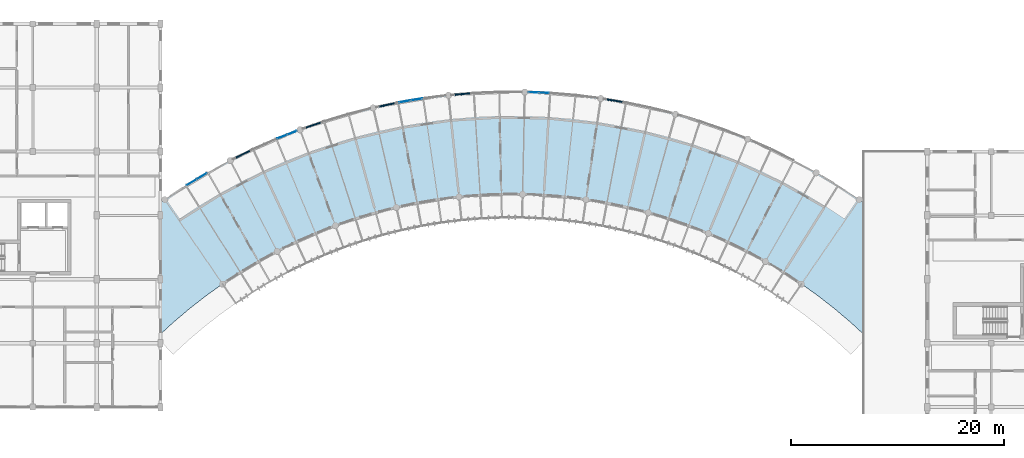
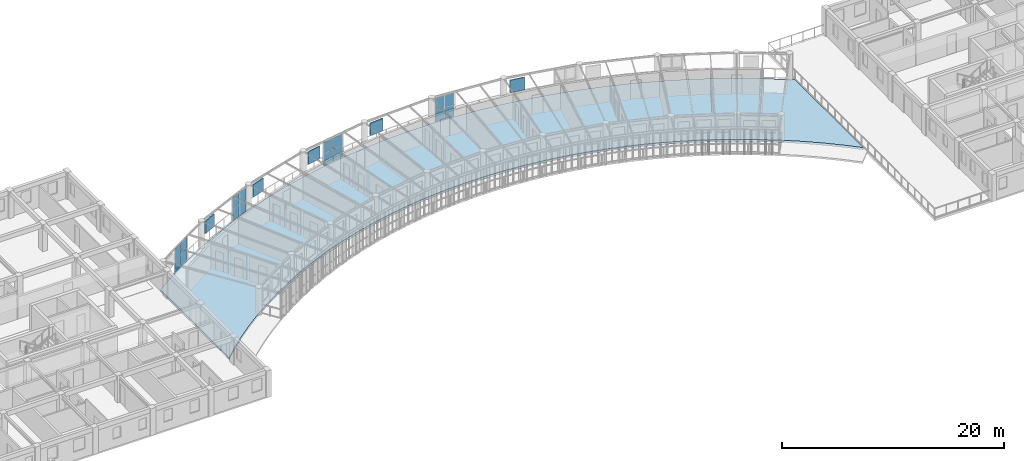
# One storey, part 50 of 101: 21 plates, 1 slab, 4 elements without a shape of their own.
"""IFC4 building model written with IfcOpenShell, lengths in metres."""

from ifc_helpers import new_model, si_unit, direction, frame, origin, origin_2d, place, context, subcontext, project, spatial, polyline, rectangle, outline, extrude, material, layer, layer_set, type_object, element, aggregate, save


model = new_model("IFC4")

# Units and contexts
model_context = context("Model", 3, precision=1e-05, world=origin(), true_north=direction((0.0, 1.0)))
body_context = subcontext(model_context, "Body", "Model", "MODEL_VIEW")
ifc_project = project(units=[si_unit("LENGTHUNIT", "METRE"), si_unit("AREAUNIT", "SQUARE_METRE"), si_unit("VOLUMEUNIT", "CUBIC_METRE"), si_unit("PLANEANGLEUNIT", "RADIAN"), si_unit("MASSUNIT", "GRAM", prefix="KILO"), si_unit("POWERUNIT", "WATT"), si_unit("THERMODYNAMICTEMPERATUREUNIT", "KELVIN")], contexts=[model_context])

# Site, building, storey
site_placement = place(None, origin())
site = spatial("IfcSite", under=ifc_project, at=site_placement, CompositionType="ELEMENT")
building_placement = place(site_placement, origin())
building = spatial("IfcBuilding", under=site, at=building_placement, Name="Ruvembo Vaulted Housing Court", CompositionType="ELEMENT")
storey_placement = place(building_placement, frame((0.0, 0.0, 17.300048828125)))
storey = spatial("IfcBuildingStorey", under=building, at=storey_placement, Name="L05", CompositionType="ELEMENT", Elevation=17.300048828125)

# Curtain wall, plates
ifc_material_1 = material(Name="Anodised Aluminium and Solar-Control Glass", Category="aluminium")
ifc_layer_1 = layer(ifc_material_1, 0.1201171875, Name="Anodised Aluminium and Solar-Control Glass")
ifc_layer_set_1 = layer_set([ifc_layer_1], Name="Anodised Aluminium and Solar-Control Glass")
curtain_wall_type_1 = type_object("IfcCurtainWallType", Name="CW-SCOOP-GAL", PredefinedType="NOTDEFINED", material=ifc_layer_set_1)
curtain_wall_1_placement = place(storey_placement, origin())
curtain_wall_1 = element("IfcCurtainWall", 1, at=curtain_wall_1_placement, inside=storey, type_object=curtain_wall_type_1, Name="L05 Curtain Wall CW-L05-0084", PredefinedType="NOTDEFINED")
ifc_material_2 = material(Name="Solar-Control Laminated Insulating Glass", Category="glass")
ifc_layer_2 = layer(ifc_material_2, 0.035888671875, Name="Solar-Control Laminated Insulating Glass")
ifc_layer_set_2 = layer_set([ifc_layer_2], Name="Solar-Control Laminated Insulating Glass")
plate_type_1 = type_object("IfcPlateType", Name="CW-PANEL-ACOUST", PredefinedType="CURTAIN_PANEL", material=ifc_layer_set_2)
plate_1_placement = place(storey_placement, frame((95.4052734375, 103.388916015625, 0.06005859375), z_axis=(0.0, 0.0, 1.0), x_axis=(0.931006177244, 0.36500342181, 0.0)))
plate_1 = element("IfcPlate", 2, at=plate_1_placement, type_object=plate_type_1, Name="CW6 panel 1.1", PredefinedType="CURTAIN_PANEL", context=body_context, shape_type="SweptSolid", body=[
    extrude(rectangle(XDim=0.930419921875, YDim=0.035888671875, at=origin_2d()), origin(), (0.0, 0.0, 1.0), 1.2548828125),
])
plate_2_placement = place(storey_placement, frame((95.4052734375, 103.388916015625, 1.375), z_axis=(0.0, 0.0, 1.0), x_axis=(0.931006177244, 0.36500342181, 0.0)))
plate_2 = element("IfcPlate", 3, at=plate_2_placement, type_object=plate_type_1, Name="CW6 panel 1.2", PredefinedType="CURTAIN_PANEL", context=body_context, shape_type="SweptSolid", body=[
    extrude(rectangle(XDim=0.930419921875, YDim=0.035888671875, at=origin_2d()), origin(), (0.0, 0.0, 1.0), 1.2548828125),
])
plate_3_placement = place(storey_placement, frame((96.3271484375, 103.75048828125, 0.06005859375), z_axis=(0.0, 0.0, 1.0), x_axis=(0.931006177244, 0.36500342181, 0.0)))
plate_3 = element("IfcPlate", 4, at=plate_3_placement, type_object=plate_type_1, Name="CW6 panel 2.1", PredefinedType="CURTAIN_PANEL", context=body_context, shape_type="SweptSolid", body=[
    extrude(rectangle(XDim=0.930419921875, YDim=0.035888671875, at=origin_2d()), origin(), (0.0, 0.0, 1.0), 1.2548828125),
])
plate_4_placement = place(storey_placement, frame((96.3271484375, 103.75048828125, 1.375), z_axis=(0.0, 0.0, 1.0), x_axis=(0.931006177244, 0.36500342181, 0.0)))
plate_4 = element("IfcPlate", 5, at=plate_4_placement, type_object=plate_type_1, Name="CW6 panel 2.2", PredefinedType="CURTAIN_PANEL", context=body_context, shape_type="SweptSolid", body=[
    extrude(rectangle(XDim=0.930419921875, YDim=0.035888671875, at=origin_2d()), origin(), (0.0, 0.0, 1.0), 1.2548828125),
])
aggregate(curtain_wall_1, [plate_1, plate_2, plate_3, plate_4])

curtain_wall_2_placement = place(storey_placement, origin())
curtain_wall_2 = element("IfcCurtainWall", 6, at=curtain_wall_2_placement, inside=storey, type_object=curtain_wall_type_1, Name="L05 Curtain Wall CW-L05-0083", PredefinedType="NOTDEFINED")
ifc_layer_3 = layer(ifc_material_2, 0.028076171875, Name="Solar-Control Laminated Insulating Glass")
ifc_layer_set_3 = layer_set([ifc_layer_3], Name="Solar-Control Laminated Insulating Glass")
plate_type_2 = type_object("IfcPlateType", Name="CW-PANEL-GLAZED", PredefinedType="CURTAIN_PANEL", material=ifc_layer_set_3)
plate_5_placement = place(storey_placement, frame((86.930419921875, 99.116943359375, 0.06005859375), z_axis=(0.0, 0.0, 1.0), x_axis=(0.85789323734, 0.513827980288, 0.0)))
plate_5 = element("IfcPlate", 7, at=plate_5_placement, type_object=plate_type_2, Name="CW6 panel 1.1", PredefinedType="CURTAIN_PANEL", context=body_context, shape_type="SweptSolid", body=[
    extrude(rectangle(XDim=1.06298828125, YDim=0.028076171875, at=origin_2d()), origin(), (0.0, 0.0, 1.0), 1.2548828125),
])
plate_6_placement = place(storey_placement, frame((86.930419921875, 99.116943359375, 1.375), z_axis=(0.0, 0.0, 1.0), x_axis=(0.85789323734, 0.513827980288, 0.0)))
plate_6 = element("IfcPlate", 8, at=plate_6_placement, type_object=plate_type_2, Name="CW6 panel 1.2", PredefinedType="CURTAIN_PANEL", context=body_context, shape_type="SweptSolid", body=[
    extrude(rectangle(XDim=1.06298828125, YDim=0.028076171875, at=origin_2d()), origin(), (0.0, 0.0, 1.0), 1.2548828125),
])
plate_7_placement = place(storey_placement, frame((87.8896484375, 99.69140625, 0.06005859375), z_axis=(0.0, 0.0, 1.0), x_axis=(0.85789323734, 0.513827980288, 0.0)))
plate_7 = element("IfcPlate", 9, at=plate_7_placement, type_object=plate_type_2, Name="CW6 panel 2.1", PredefinedType="CURTAIN_PANEL", context=body_context, shape_type="SweptSolid", body=[
    extrude(rectangle(XDim=1.06298828125, YDim=0.028076171875, at=origin_2d()), origin(), (0.0, 0.0, 1.0), 1.2548828125),
])
plate_8_placement = place(storey_placement, frame((87.8896484375, 99.69140625, 1.375), z_axis=(0.0, 0.0, 1.0), x_axis=(0.85789323734, 0.513827980288, 0.0)))
plate_8 = element("IfcPlate", 10, at=plate_8_placement, type_object=plate_type_2, Name="CW6 panel 2.2", PredefinedType="CURTAIN_PANEL", context=body_context, shape_type="SweptSolid", body=[
    extrude(rectangle(XDim=1.06298828125, YDim=0.028076171875, at=origin_2d()), origin(), (0.0, 0.0, 1.0), 1.2548828125),
])
aggregate(curtain_wall_2, [plate_5, plate_6, plate_7, plate_8])

curtain_wall_3_placement = place(storey_placement, origin())
curtain_wall_3 = element("IfcCurtainWall", 11, at=curtain_wall_3_placement, inside=storey, type_object=curtain_wall_type_1, Name="L05 Curtain Wall CW-L05-0086", PredefinedType="NOTDEFINED")
plate_9_placement = place(storey_placement, frame((119.02099609375, 107.553466796875, 0.06005859375), z_axis=(0.0, 0.0, 1.0), x_axis=(0.999138414819, -0.041502144927, 0.0)))
plate_9 = element("IfcPlate", 12, at=plate_9_placement, type_object=plate_type_2, Name="CW6 panel 1.1", PredefinedType="CURTAIN_PANEL", context=body_context, shape_type="SweptSolid", body=[
    extrude(rectangle(XDim=0.9228515625, YDim=0.028076171875, at=origin_2d()), origin(), (0.0, 0.0, 1.0), 1.2548828125),
])
plate_10_placement = place(storey_placement, frame((119.02099609375, 107.553466796875, 1.375), z_axis=(0.0, 0.0, 1.0), x_axis=(0.999138414819, -0.041502144927, 0.0)))
plate_10 = element("IfcPlate", 13, at=plate_10_placement, type_object=plate_type_2, Name="CW6 panel 1.2", PredefinedType="CURTAIN_PANEL", context=body_context, shape_type="SweptSolid", body=[
    extrude(rectangle(XDim=0.9228515625, YDim=0.028076171875, at=origin_2d()), origin(), (0.0, 0.0, 1.0), 1.2548828125),
])
plate_11_placement = place(storey_placement, frame((120.00830078125, 107.512451171875, 0.06005859375), z_axis=(0.0, 0.0, 1.0), x_axis=(0.999138414819, -0.041502144927, 0.0)))
plate_11 = element("IfcPlate", 14, at=plate_11_placement, type_object=plate_type_2, Name="CW6 panel 2.1", PredefinedType="CURTAIN_PANEL", context=body_context, shape_type="SweptSolid", body=[
    extrude(rectangle(XDim=0.9228515625, YDim=0.028076171875, at=origin_2d()), origin(), (0.0, 0.0, 1.0), 1.2548828125),
])
plate_12_placement = place(storey_placement, frame((120.00830078125, 107.512451171875, 1.375), z_axis=(0.0, 0.0, 1.0), x_axis=(0.999138414819, -0.041502144927, 0.0)))
plate_12 = element("IfcPlate", 15, at=plate_12_placement, type_object=plate_type_2, Name="CW6 panel 2.2", PredefinedType="CURTAIN_PANEL", context=body_context, shape_type="SweptSolid", body=[
    extrude(rectangle(XDim=0.9228515625, YDim=0.028076171875, at=origin_2d()), origin(), (0.0, 0.0, 1.0), 1.2548828125),
])
aggregate(curtain_wall_3, [plate_9, plate_10, plate_11, plate_12])

ifc_layer_4 = layer(ifc_material_1, 0.139892578125, Name="Anodised Aluminium and Solar-Control Glass")
ifc_layer_set_4 = layer_set([ifc_layer_4], Name="Anodised Aluminium and Solar-Control Glass")
curtain_wall_type_2 = type_object("IfcCurtainWallType", Name="CW-SCOOP-PAN", PredefinedType="NOTDEFINED", material=ifc_layer_set_4)
curtain_wall_4_placement = place(storey_placement, origin())
curtain_wall_4 = element("IfcCurtainWall", 16, at=curtain_wall_4_placement, inside=storey, type_object=curtain_wall_type_2, Name="L05 Curtain Wall CW-L05-0085", PredefinedType="NOTDEFINED")
ifc_layer_5 = layer(ifc_material_2, 0.031982421875, Name="Solar-Control Laminated Insulating Glass")
ifc_layer_set_5 = layer_set([ifc_layer_5], Name="Solar-Control Laminated Insulating Glass")
plate_type_3 = type_object("IfcPlateType", Name="CW-PANEL-SOLAR", PredefinedType="CURTAIN_PANEL", material=ifc_layer_set_5)
plate_13_placement = place(storey_placement, frame((106.931884765625, 106.703369140625, 0.06494140625), z_axis=(0.0, 0.0, 1.0), x_axis=(0.986249615635, 0.165262505305, 0.0)))
plate_13 = element("IfcPlate", 17, at=plate_13_placement, type_object=plate_type_3, Name="CW10 panel 1.1", PredefinedType="CURTAIN_PANEL", context=body_context, shape_type="SweptSolid", body=[
    extrude(rectangle(XDim=1.055419921875, YDim=0.031982421875, at=origin_2d()), origin(), (0.0, 0.0, 1.0), 1.24755859375),
])
plate_14_placement = place(storey_placement, frame((106.931884765625, 106.703369140625, 1.37744140625), z_axis=(0.0, 0.0, 1.0), x_axis=(0.986249615635, 0.165262505305, 0.0)))
plate_14 = element("IfcPlate", 18, at=plate_14_placement, type_object=plate_type_3, Name="CW10 panel 1.2", PredefinedType="CURTAIN_PANEL", context=body_context, shape_type="SweptSolid", body=[
    extrude(rectangle(XDim=1.055419921875, YDim=0.031982421875, at=origin_2d()), origin(), (0.0, 0.0, 1.0), 1.24755859375),
])
plate_15_placement = place(storey_placement, frame((108.031982421875, 106.8876953125, 0.06494140625), z_axis=(0.0, 0.0, 1.0), x_axis=(0.986249615635, 0.165262505305, 0.0)))
plate_15 = element("IfcPlate", 19, at=plate_15_placement, type_object=plate_type_3, Name="CW10 panel 2.1", PredefinedType="CURTAIN_PANEL", context=body_context, shape_type="SweptSolid", body=[
    extrude(rectangle(XDim=1.055419921875, YDim=0.031982421875, at=origin_2d()), origin(), (0.0, 0.0, 1.0), 1.24755859375),
])
plate_16_placement = place(storey_placement, frame((108.031982421875, 106.8876953125, 1.37744140625), z_axis=(0.0, 0.0, 1.0), x_axis=(0.986249615635, 0.165262505305, 0.0)))
plate_16 = element("IfcPlate", 20, at=plate_16_placement, type_object=plate_type_3, Name="CW10 panel 2.2", PredefinedType="CURTAIN_PANEL", context=body_context, shape_type="SweptSolid", body=[
    extrude(rectangle(XDim=1.055419921875, YDim=0.031982421875, at=origin_2d()), origin(), (0.0, 0.0, 1.0), 1.24755859375),
])
aggregate(curtain_wall_4, [plate_13, plate_14, plate_15, plate_16])

# Plates
ifc_material_3 = material(Name="Perforated Glazed Ceramic Cobogo Block", Category="ceramic")
ifc_layer_6 = layer(ifc_material_3, 0.1201171875, Name="Perforated Glazed Ceramic Cobogo Block")
ifc_layer_set_6 = layer_set([ifc_layer_6], Name="Perforated Glazed Ceramic Cobogo Block")
plate_type_4 = type_object("IfcPlateType", Name="PL-COBOGO-120", PredefinedType="USERDEFINED", material=ifc_layer_set_6)
for number, where, z_axis, x_axis, name in (
    (21, (91.720947265625, 101.742919921875, 1.1201171875), (0.0, 0.0, 1.0), (0.897558685292, 0.44089500616, 0.0), "Scoop SC3 L05 Ceramic Cobogo Screen #104"),
    (22, (98.34375, 104.482177734375, 1.1201171875), (0.0, 0.0, 1.0), (0.945370740111, 0.325997183641, 0.0), "Scoop SC3 L05 Ceramic Cobogo Screen #105"),
    (23, (105.255615234375, 106.37744140625, 1.1201171875), (0.0, 0.0, 1.0), (0.978534170393, 0.206084636433, 0.0), "Scoop SC3 L05 Ceramic Cobogo Screen #106"),
    (24, (112.34912109375, 107.399658203125, 1.1201171875), (0.0, 0.0, 1.0), (0.996553930577, 0.082947353498, 0.0), "Scoop SC3 L05 Ceramic Cobogo Screen #107"),
    (25, (126.641357421875, 106.77490234375, 1.1201171875), (0.0, 0.0, 1.0), (0.986245243357, -0.165288595967, 0.0), "Scoop SC3 L05 Ceramic Cobogo Screen #108"),
):
    element("IfcPlate", number, at=place(storey_placement, frame(where, z_axis=z_axis, x_axis=x_axis)), inside=storey, type_object=plate_type_4, Name=name, ObjectType="COBOGO_PANEL", PredefinedType="USERDEFINED", context=body_context, shape_type="SweptSolid", body=[
        extrude(rectangle(XDim=1.39990234375, YDim=0.1201171875, at=origin_2d()), origin(), (0.0, 0.0, 1.0), 1.360107421875),
    ])

# Slab
ifc_material_4 = material(Name="Concrete C35/45", Category="concrete")
ifc_layer_7 = layer(ifc_material_4, 0.251953125, Name="Concrete C35/45")
ifc_layer_set_7 = layer_set([ifc_layer_7], Name="Concrete C35/45")
slab_type = type_object("IfcSlabType", Name="SL-SCOOP-252", PredefinedType="FLOOR", material=ifc_layer_set_7)
slab_placement = place(storey_placement, frame((0.0, 0.0, -0.251953125)))
element("IfcSlab", 26, at=slab_placement, inside=storey, type_object=slab_type, Name="Scoop SC3 L05 Floor Slab", PredefinedType="FLOOR", context=body_context, shape_type="SweptSolid", body=[
    extrude(outline(polyline([(150.0, 84.8466796875), (150.0, 97.2001953125), (149.61376953125, 97.477294921875), (147.615478515625, 98.789794921875), (145.564453125, 100.018310546875), (143.464111328125, 101.16064453125), (141.318115234375, 102.21484375), (139.13037109375, 103.178955078125), (136.904541015625, 104.051513671875), (134.644287109375, 104.8310546875), (132.353759765625, 105.51611328125), (130.03662109375, 106.105224609375), (127.697021484375, 106.597900390625), (125.339111328125, 106.9931640625), (122.966796875, 107.2900390625), (120.584228515625, 107.48828125), (118.1953125, 107.587646484375), (115.8046875, 107.587646484375), (113.415771484375, 107.48828125), (111.033203125, 107.2900390625), (108.660888671875, 106.9931640625), (106.302978515625, 106.597900390625), (103.96337890625, 106.105224609375), (101.646240234375, 105.51611328125), (99.355712890625, 104.8310546875), (97.095458984375, 104.051513671875), (94.86962890625, 103.178955078125), (92.681884765625, 102.21484375), (90.535888671875, 101.16064453125), (88.435546875, 100.018310546875), (86.384521484375, 98.789794921875), (84.38623046875, 97.477294921875), (84.0, 97.2001953125), (84.0, 84.8466796875), (85.117919921875, 85.88232421875), (86.634521484375, 87.17431640625), (88.203369140625, 88.402587890625), (89.82177734375, 89.564453125), (91.487060546875, 90.658203125), (93.1962890625, 91.681884765625), (94.946533203125, 92.6337890625), (96.73486328125, 93.51220703125), (98.55810546875, 94.31591796875), (100.412841796875, 95.04296875), (102.29638671875, 95.6923828125), (104.205322265625, 96.26318359375), (106.13623046875, 96.75439453125), (108.085693359375, 97.1650390625), (110.05078125, 97.494384765625), (112.027587890625, 97.74169921875), (114.01318359375, 97.906982421875), (116.00390625, 97.98974609375), (117.99609375, 97.98974609375), (119.98681640625, 97.906982421875), (121.972412109375, 97.74169921875), (123.94921875, 97.494384765625), (125.914306640625, 97.1650390625), (127.86376953125, 96.75439453125), (129.794677734375, 96.26318359375), (131.70361328125, 95.6923828125), (133.587158203125, 95.04296875), (135.44189453125, 94.31591796875), (137.26513671875, 93.51220703125), (139.053466796875, 92.6337890625), (140.8037109375, 91.681884765625), (142.512939453125, 90.658203125), (144.17822265625, 89.564453125), (145.796630859375, 88.402587890625), (147.365478515625, 87.17431640625), (148.882080078125, 85.88232421875), (150.0, 84.8466796875)])), origin(), (0.0, 0.0, 1.0), 0.251953125),
])

save(model, "model.ifc")
